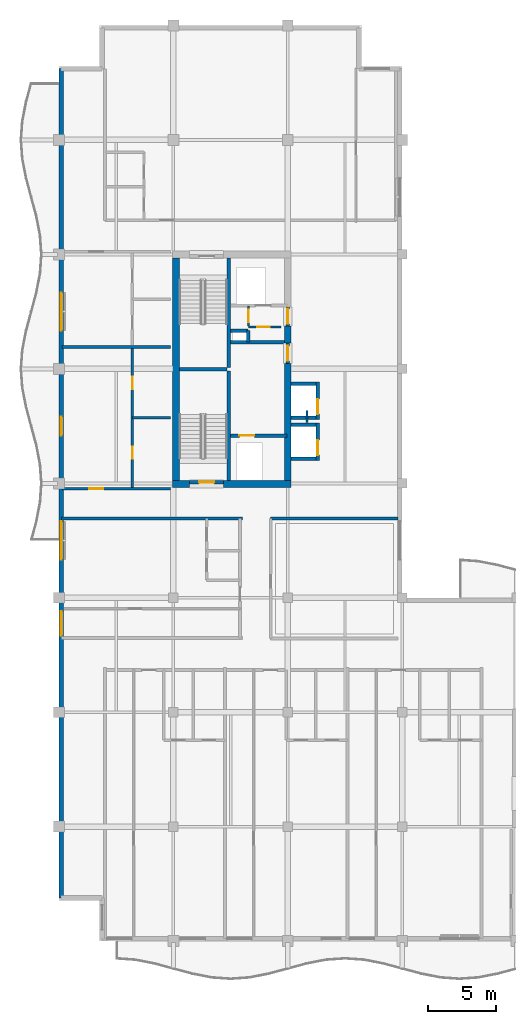
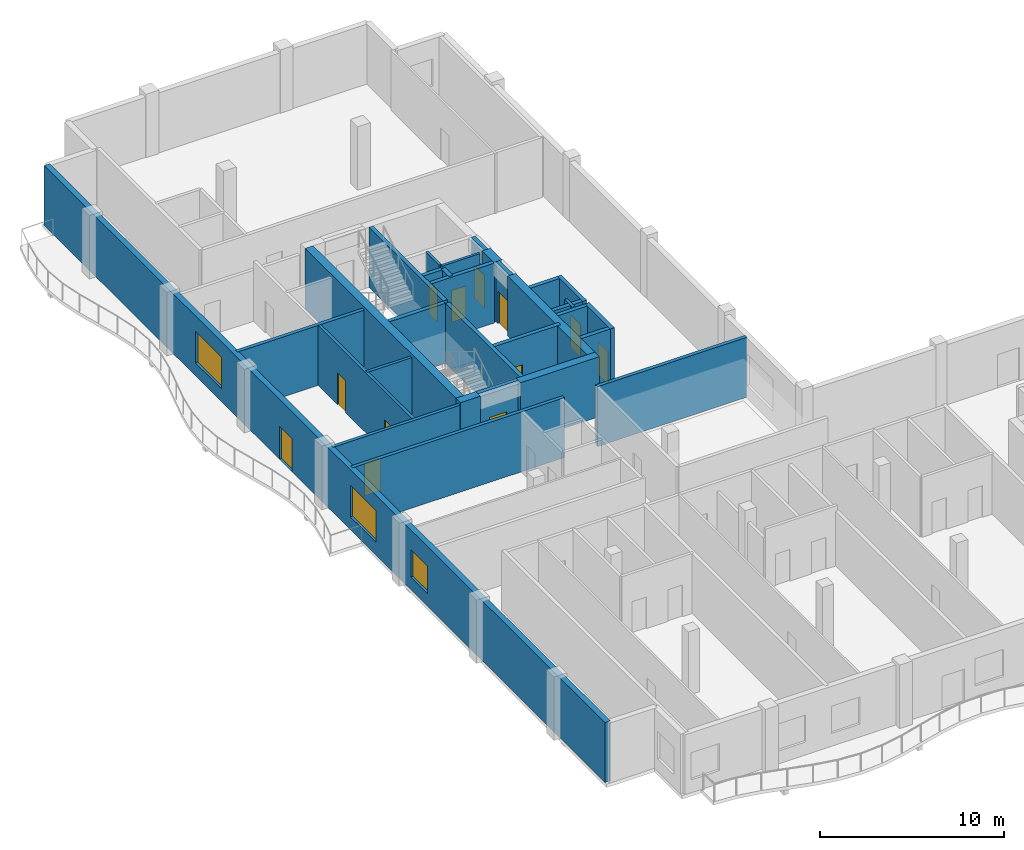
# One storey, part 10 of 16: 31 walls, 12 doors, 3 windows, 15 openings.
"""IFC4 building model written with IfcOpenShell, lengths in metres."""

import ifcopenshell
import ifcopenshell.guid

model = None  # the IFC model being written
_history = None  # IfcOwnerHistory: only IFC2X3 demands one
_inside = {}  # id of a spatial element -> (the spatial element, [elements in it])
_under = {}  # id of a project, library or spatial element -> (it, [spatial elements below it])
_declared = {}  # id of a project -> (the project, [libraries it declares])
_typed = {}  # id of a type object -> (the type object, [elements of that type])
_made_of = {}  # id of a material, layer set ... -> (it, [elements and type objects made of it])


def new_model(schema):
    """Start an empty IFC model of exactly this schema.

    Asked for "IFC4X3", IfcOpenShell would pick the latest addendum, in which some entities
    have other attributes; the version numbers below select the first issue.
    IFC2X3 requires an IfcOwnerHistory on every rooted entity: one is made here for all.
    """
    global model, _history
    if schema == "IFC4X3":
        model = ifcopenshell.file(schema_version=(4, 3, 0, 0))
    else:
        model = ifcopenshell.file(schema=schema)
    _inside.clear()
    _under.clear()
    _declared.clear()
    _typed.clear()
    _made_of.clear()
    _history = None
    if model.schema == "IFC2X3":
        org = make("IfcOrganization", Name="unknown")
        user = make(
            "IfcPersonAndOrganization",
            ThePerson=make("IfcPerson", FamilyName="unknown"),
            TheOrganization=org,
        )
        app = make(
            "IfcApplication",
            ApplicationDeveloper=org,
            Version="unknown",
            ApplicationFullName="unknown",
            ApplicationIdentifier="unknown",
        )
        _history = make(
            "IfcOwnerHistory",
            OwningUser=user,
            OwningApplication=app,
            ChangeAction="ADDED",
            CreationDate=0,
        )
    return model


def make(cls, **values):
    """One entity of the class cls with the attributes given. An attribute that is None is left unset."""
    return model.create_entity(
        cls, **{name: value for name, value in values.items() if value is not None}
    )


def rooted(cls, **values):
    """An entity with a GlobalId (a new one), such as an element, a storey or a relation."""
    return make(cls, GlobalId=ifcopenshell.guid.new(), OwnerHistory=_history, **values)


def si_unit(unit_type, name, prefix=None):
    """IfcSIUnit, for example si_unit("LENGTHUNIT", "METRE", prefix="MILLI")."""
    return make("IfcSIUnit", UnitType=unit_type, Prefix=prefix, Name=name)


def assignment(units):
    """IfcUnitAssignment: the units of a project."""
    return None if units is None else make("IfcUnitAssignment", Units=units)


def point(xyz):
    """IfcCartesianPoint."""
    return None if xyz is None else make("IfcCartesianPoint", Coordinates=xyz)


def direction(xyz):
    """IfcDirection."""
    return None if xyz is None else make("IfcDirection", DirectionRatios=xyz)


def frame(location, z_axis=None, x_axis=None):
    """IfcAxis2Placement3D, a coordinate frame: its origin and axes. An axis left out is left unset."""
    return make(
        "IfcAxis2Placement3D",
        Location=point(location),
        Axis=direction(z_axis),
        RefDirection=direction(x_axis),
    )


def frame_2d(location, x_axis=None):
    """IfcAxis2Placement2D, a coordinate frame in the plane: its origin and x axis."""
    return make(
        "IfcAxis2Placement2D", Location=point(location), RefDirection=direction(x_axis)
    )


def origin():
    """The frame at (0, 0, 0) with its axes left unset."""
    return frame((0.0, 0.0, 0.0))


def place(relative_to, where):
    """IfcLocalPlacement: puts the frame where relative to a parent placement (None: the world)."""
    return make(
        "IfcLocalPlacement", PlacementRelTo=relative_to, RelativePlacement=where
    )


def context(
    kind, dimensions, precision=None, world=None, true_north=None, identifier=None
):
    """IfcGeometricRepresentationContext, for example the 3D "Model" context."""
    return make(
        "IfcGeometricRepresentationContext",
        ContextIdentifier=identifier,
        ContextType=kind,
        CoordinateSpaceDimension=dimensions,
        Precision=precision,
        WorldCoordinateSystem=world,
        TrueNorth=true_north,
    )


def subcontext(parent, identifier, kind, view, scale=None):
    """IfcGeometricRepresentationSubContext, for example "Body" below "Model"."""
    return make(
        "IfcGeometricRepresentationSubContext",
        ContextIdentifier=identifier,
        ContextType=kind,
        ParentContext=parent,
        TargetScale=scale,
        TargetView=view,
    )


def project(units=None, contexts=None):
    """IfcProject with its units and contexts."""
    return rooted(
        "IfcProject",
        Name="project",
        RepresentationContexts=contexts,
        UnitsInContext=assignment(units),
    )


def spatial(cls, under=None, at=None, **own):
    """A site, building, storey or space (cls), placed at a placement, below another one or the project."""
    s = rooted(cls, ObjectPlacement=at, **own)
    if under is not None:
        _under.setdefault(under.id(), (under, []))[1].append(s)
    return s


def profile(cls, at=None, kind="AREA", **sizes):
    """A parametric profile (cls). Its sizes go by their IFC names, for example OverallWidth=200.0."""
    return make(cls, ProfileType=kind, Position=at, **sizes)


def rectangle(**sizes):
    """IfcRectangleProfileDef."""
    return profile("IfcRectangleProfileDef", **sizes)


def extrude(swept, where, along, depth):
    """IfcExtrudedAreaSolid: the profile swept, set in the frame where, extruded along a direction by depth."""
    return make(
        "IfcExtrudedAreaSolid",
        SweptArea=swept,
        Position=where,
        ExtrudedDirection=direction(along),
        Depth=depth,
    )


def shape(context_of_items, identifier, shape_type, items):
    """IfcShapeRepresentation: the items that make up one representation, for example the "Body"."""
    return make(
        "IfcShapeRepresentation",
        ContextOfItems=context_of_items,
        RepresentationIdentifier=identifier,
        RepresentationType=shape_type,
        Items=items,
    )


def material(Name=None, Category=None):
    """IfcMaterial."""
    return make("IfcMaterial", Name=Name, Category=Category)


def layer(
    of_material, thickness, ventilated=None, Name=None, Category=None, Priority=None
):
    """IfcMaterialLayer: one layer of a wall or slab, of a material (None: an air gap)."""
    return make(
        "IfcMaterialLayer",
        Material=of_material,
        LayerThickness=thickness,
        IsVentilated=ventilated,
        Name=Name,
        Category=Category,
        Priority=Priority,
    )


def layer_set(layers, Name=None):
    """IfcMaterialLayerSet."""
    return make("IfcMaterialLayerSet", MaterialLayers=layers, LayerSetName=Name)


def made_of(thing, what):
    """Note that an element or type object is made of a material, layer set ...; save() writes the relation."""
    if what is not None:
        _made_of.setdefault(what.id(), (what, []))[1].append(thing)
    return thing


def type_object(cls, material=None, **own):
    """A type object (cls), such as IfcWallType, which elements share."""
    return made_of(rooted(cls, **own), material)


def element(
    cls,
    number,
    at=None,
    inside=None,
    cuts=None,
    type_object=None,
    material=None,
    context=None,
    identifier="Body",
    shape_type=None,
    held_by="IfcProductDefinitionShape",
    body=None,
    shapes=None,
    **own,
):
    """One element of the class cls, such as IfcWall. Its Tag is "e" and its number.

    at: its placement. inside: the storey or other place that contains it. cuts: it is an
    opening in that element (IfcRelVoidsElement). A single representation is given by context,
    identifier, shape_type and body (its items); several are given by shapes. held_by: the class
    of the entity that holds the representations. save() writes the other relations.
    """
    e = rooted(cls, Tag="e%d" % number, ObjectPlacement=at, **own)
    if body is not None:
        shapes = [shape(context, identifier, shape_type, body)]
    if shapes is not None:
        e.Representation = make(held_by, Representations=shapes)
    if inside is not None:
        _inside.setdefault(inside.id(), (inside, []))[1].append(e)
    if cuts is not None:
        rooted(
            "IfcRelVoidsElement", RelatingBuildingElement=cuts, RelatedOpeningElement=e
        )
    if type_object is not None:
        _typed.setdefault(type_object.id(), (type_object, []))[1].append(e)
    return made_of(e, material)


def fill(opening, filler):
    """IfcRelFillsElement: the door or window that sits in an opening."""
    return rooted(
        "IfcRelFillsElement",
        RelatingOpeningElement=opening,
        RelatedBuildingElement=filler,
    )


def aggregate(whole, parts):
    """IfcRelAggregates: a whole, such as a stair, and the parts it consists of."""
    return rooted("IfcRelAggregates", RelatingObject=whole, RelatedObjects=parts)


def save(model, path):
    """Write the relations noted so far, then the file.

    IfcRelAggregates (storeys below a building ...), IfcRelContainedInSpatialStructure (elements
    in a storey), IfcRelDefinesByType, IfcRelAssociatesMaterial and IfcRelDeclares: one each for
    every whole, place, type object, material and project.
    """
    for whole, parts in _under.values():
        aggregate(whole, parts)
    for where, things in _inside.values():
        rooted(
            "IfcRelContainedInSpatialStructure",
            RelatedElements=things,
            RelatingStructure=where,
        )
    for kind, things in _typed.values():
        rooted("IfcRelDefinesByType", RelatedObjects=things, RelatingType=kind)
    for what, things in _made_of.values():
        rooted("IfcRelAssociatesMaterial", RelatedObjects=things, RelatingMaterial=what)
    for by, libraries in _declared.values():
        rooted("IfcRelDeclares", RelatingContext=by, RelatedDefinitions=libraries)
    model.write(path)


model = new_model("IFC4")

# Units and contexts
model_context = context("Model", 3, precision=1e-05, world=origin(), true_north=direction((0.0, 1.0)))
body_context = subcontext(model_context, "Body", "Model", "MODEL_VIEW")
ifc_project = project(units=[si_unit("LENGTHUNIT", "METRE"), si_unit("AREAUNIT", "SQUARE_METRE"), si_unit("VOLUMEUNIT", "CUBIC_METRE"), si_unit("PLANEANGLEUNIT", "RADIAN"), si_unit("MASSUNIT", "GRAM", prefix="KILO")], contexts=[model_context])

# Site, building, storey
site_placement = place(None, origin())
site = spatial("IfcSite", under=ifc_project, at=site_placement, CompositionType="ELEMENT")
building_placement = place(site_placement, origin())
building = spatial("IfcBuilding", under=site, at=building_placement, Name="Koriwani Terraces Tower", CompositionType="ELEMENT")
storey_placement = place(building_placement, frame((0.0, 0.0, 355.39990234375)))
storey = spatial("IfcBuildingStorey", under=building, at=storey_placement, Name="L88", CompositionType="ELEMENT", Elevation=355.39990234375)

# Walls
ifc_material_1 = material(Name="Concrete C50/60", Category="concrete")
ifc_layer_1 = layer(ifc_material_1, 0.5, Name="Concrete C50/60")
ifc_layer_set_1 = layer_set([ifc_layer_1], Name="Concrete C50/60")
wall_type_1 = type_object("IfcWallType", Name="WALL_CORE_RC_500", PredefinedType="SHEAR", material=ifc_layer_set_1)
wall_1_placement = place(storey_placement, frame((16.75, 41.949951171875, 0.0), z_axis=(0.0, 0.0, 1.0), x_axis=(1.0, 0.0, 0.0)))
element("IfcWall", 1, at=wall_1_placement, inside=storey, type_object=wall_type_1, Name="L88 West Split Core Shear Wall S1", PredefinedType="SHEAR", context=body_context, shape_type="SweptSolid", body=[
    extrude(rectangle(XDim=1.25, YDim=0.5, at=frame_2d((0.625, 0.0))), origin(), (0.0, 0.0, 1.0), 3.97021484375),
])
wall_2_placement = place(storey_placement, frame((20.5, 41.949951171875, 0.0), z_axis=(0.0, 0.0, 1.0), x_axis=(1.0, 0.0, 0.0)))
element("IfcWall", 2, at=wall_2_placement, inside=storey, type_object=wall_type_1, Name="L88 West Split Core Shear Wall S2", PredefinedType="SHEAR", context=body_context, shape_type="SweptSolid", body=[
    extrude(rectangle(XDim=4.949951171875, YDim=0.5, at=frame_2d((2.47509765625, 0.0))), origin(), (0.0, 0.0, 1.0), 3.97021484375),
])
wall_3_placement = place(storey_placement, frame((17.0, 42.199951171875, 0.0), z_axis=(0.0, 0.0, 1.0), x_axis=(0.0, 1.0, 0.0)))
element("IfcWall", 3, at=wall_3_placement, inside=storey, type_object=wall_type_1, Name="L88 West Split Core Shear Wall W1", PredefinedType="SHEAR", context=body_context, shape_type="SweptSolid", body=[
    extrude(rectangle(XDim=16.35009765625, YDim=0.5, at=frame_2d((8.175048828125, 0.0))), origin(), (0.0, 0.0, 1.0), 3.97021484375),
])
wall_4_placement = place(storey_placement, frame((25.199951171875, 42.199951171875, 0.0), z_axis=(0.0, 0.0, 1.0), x_axis=(0.0, 1.0, 0.0)))
element("IfcWall", 4, at=wall_4_placement, inside=storey, type_object=wall_type_1, Name="L88 West Split Core Shear Wall E1", PredefinedType="SHEAR", context=body_context, shape_type="SweptSolid", body=[
    extrude(rectangle(XDim=8.60009765625, YDim=0.5, at=frame_2d((4.300048828125, 0.0))), origin(), (0.0, 0.0, 1.0), 3.97021484375),
])
wall_5_placement = place(storey_placement, frame((25.199951171875, 52.280029296875, 0.0), z_axis=(0.0, 0.0, 1.0), x_axis=(0.0, 1.0, 0.0)))
element("IfcWall", 5, at=wall_5_placement, inside=storey, type_object=wall_type_1, Name="L88 West Split Core Shear Wall E2", PredefinedType="SHEAR", context=body_context, shape_type="SweptSolid", body=[
    extrude(rectangle(XDim=1.27001953125, YDim=0.5, at=frame_2d((0.635009765625, 0.0))), origin(), (0.0, 0.0, 1.0), 3.97021484375),
])

# Wall, opening, door
ifc_material_2 = material(Name="Autoclaved Cellular Concrete Blockwork", Category="masonry")
ifc_layer_2 = layer(ifc_material_2, 0.199951171875, Name="Autoclaved Cellular Concrete Blockwork")
ifc_layer_set_2 = layer_set([ifc_layer_2], Name="Autoclaved Cellular Concrete Blockwork")
wall_type_2 = type_object("IfcWallType", Name="WALL_CORRIDOR_200", PredefinedType="PARTITIONING", material=ifc_layer_set_2)
wall_6_placement = place(storey_placement, frame((8.64990234375, 41.60009765625, 0.0), z_axis=(0.0, 0.0, 1.0), x_axis=(1.0, 0.0, 0.0)))
wall_6 = element("IfcWall", 6, at=wall_6_placement, inside=storey, type_object=wall_type_2, Name="L88 Interior Wall WRZ4-WS-L88", PredefinedType="PARTITIONING", context=body_context, shape_type="SweptSolid", body=[
    extrude(rectangle(XDim=7.9501953125, YDim=0.199951171875, at=frame_2d((3.97509765625, 0.0))), origin(), (0.0, 0.0, 1.0), 3.97021484375),
])
opening_1_placement = place(wall_6_placement, frame((2.0, 0.0, 0.0)))
opening_1 = element("IfcOpeningElement", 7, at=opening_1_placement, cuts=wall_6, Name="Opening D-05", PredefinedType="OPENING", context=body_context, shape_type="SweptSolid", body=[
    extrude(rectangle(XDim=1.0, YDim=2.14990234375, at=frame_2d((0.5, 1.074951171875))), frame((0.0, 0.10986328125, 0.0), z_axis=(0.0, -1.0, 0.0), x_axis=(1.0, 0.0, 0.0)), (0.0, 0.0, 1.0), 0.219970703125),
])
ifc_material_3 = material(Name="Architectural Oak Fire Door", Category="wood")
door_type_1 = type_object("IfcDoorType", Name="DOOR_SUITE_ENTRY_1000X2150", OperationType="NOTDEFINED", PredefinedType="DOOR", material=ifc_material_3)
door_1_placement = place(opening_1_placement, origin())
door_1 = element("IfcDoor", 8, at=door_1_placement, inside=storey, type_object=door_type_1, Name="Apartment 88RW1 Entrance Door", OperationType="SINGLE_SWING_LEFT", OverallHeight=2.14990234375, OverallWidth=1.0, PredefinedType="DOOR", context=body_context, shape_type="SweptSolid", body=[
    extrude(rectangle(XDim=1.0, YDim=2.14990234375, at=frame_2d((0.5, 1.074951171875))), frame((0.0, 0.02490234375, 0.0), z_axis=(0.0, -1.0, 0.0), x_axis=(1.0, 0.0, 0.0)), (0.0, 0.0, 1.0), 0.050048828125),
])
fill(opening_1, door_1)

# Walls
ifc_layer_3 = layer(ifc_material_2, 0.219970703125, Name="Autoclaved Cellular Concrete Blockwork")
ifc_layer_set_3 = layer_set([ifc_layer_3], Name="Autoclaved Cellular Concrete Blockwork")
wall_type_3 = type_object("IfcWallType", Name="WALL_DEMISING_220", PredefinedType="PARTITIONING", material=ifc_layer_set_3)
wall_7_placement = place(storey_placement, frame((23.949951171875, 39.39990234375, 0.0), z_axis=(0.0, 0.0, 1.0), x_axis=(1.0, 0.0, 0.0)))
element("IfcWall", 9, at=wall_7_placement, inside=storey, type_object=wall_type_3, Name="L88 Interior Wall WIC4WN-L88", PredefinedType="PARTITIONING", context=body_context, shape_type="SweptSolid", body=[
    extrude(rectangle(XDim=9.35009765625, YDim=0.219970703125, at=frame_2d((4.675048828125, 0.0))), origin(), (0.0, 0.0, 1.0), 3.97021484375),
])
wall_8_placement = place(storey_placement, frame((8.64990234375, 52.0, 0.0), z_axis=(0.0, 0.0, 1.0), x_axis=(1.0, 0.0, 0.0)))
element("IfcWall", 10, at=wall_8_placement, inside=storey, type_object=wall_type_3, Name="L88 Interior Wall WRZ4-WM-L88", PredefinedType="PARTITIONING", context=body_context, shape_type="SweptSolid", body=[
    extrude(rectangle(XDim=7.9501953125, YDim=0.219970703125, at=frame_2d((3.97509765625, 0.0))), origin(), (0.0, 0.0, 1.0), 3.97021484375),
])
wall_9_placement = place(storey_placement, frame((8.60009765625, 39.39990234375, 0.0), z_axis=(0.0, 0.0, 1.0), x_axis=(1.0, 0.0, 0.0)))
element("IfcWall", 11, at=wall_9_placement, inside=storey, type_object=wall_type_3, Name="L88 Interior Wall WRDEME-L88-NE", PredefinedType="PARTITIONING", context=body_context, shape_type="SweptSolid", body=[
    extrude(rectangle(XDim=13.27978515625, YDim=0.219970703125, at=frame_2d((6.639892578125, 0.0))), origin(), (0.0, 0.0, 1.0), 3.97021484375),
])

# Wall, openings, door, windows
ifc_layer_4 = layer(ifc_material_1, 0.35009765625, Name="Concrete C50/60")
ifc_layer_set_4 = layer_set([ifc_layer_4], Name="Concrete C50/60")
wall_type_4 = type_object("IfcWallType", Name="WALL_EXT_BRUTALIST_350", PredefinedType="STANDARD", material=ifc_layer_set_4)
wall_10_placement = place(storey_placement, frame((8.574951171875, 11.574951171875, 0.0), z_axis=(0.0, 0.0, 1.0), x_axis=(0.0, 1.0, 0.0)))
wall_10 = element("IfcWall", 12, at=wall_10_placement, inside=storey, type_object=wall_type_4, Name="L88 Fair-Faced Brutalist Exterior Wall (W)", PredefinedType="STANDARD", context=body_context, shape_type="SweptSolid", body=[
    extrude(rectangle(XDim=60.85009765625, YDim=0.35009765625, at=frame_2d((30.425048828125, 0.0))), origin(), (0.0, 0.0, 1.0), 3.97021484375),
])
opening_2_placement = place(wall_10_placement, frame((33.925048828125, 0.0, 0.0)))
opening_2 = element("IfcOpeningElement", 13, at=opening_2_placement, cuts=wall_10, Name="Opening D-09", PredefinedType="OPENING", context=body_context, shape_type="SweptSolid", body=[
    extrude(rectangle(XDim=1.39990234375, YDim=2.199951171875, at=frame_2d((0.699951171875, 1.10009765625))), frame((0.0, 0.18505859375, 0.0), z_axis=(0.0, -1.0, 0.0), x_axis=(1.0, 0.0, 0.0)), (0.0, 0.0, 1.0), 0.3701171875),
])
opening_3_placement = place(wall_10_placement, frame((24.824951171875, 0.0, 0.85009765625)))
opening_3 = element("IfcOpeningElement", 14, at=opening_3_placement, cuts=wall_10, Name="Opening W-05", PredefinedType="OPENING", context=body_context, shape_type="SweptSolid", body=[
    extrude(rectangle(XDim=2.800048828125, YDim=2.10009765625, at=frame_2d((1.39990234375, 1.050048828125))), frame((0.0, 0.18505859375, 0.0), z_axis=(0.0, -1.0, 0.0), x_axis=(1.0, 0.0, 0.0)), (0.0, 0.0, 1.0), 0.3701171875),
])
opening_4_placement = place(wall_10_placement, frame((41.625, 0.0, 0.85009765625)))
opening_4 = element("IfcOpeningElement", 15, at=opening_4_placement, cuts=wall_10, Name="Opening W-05", PredefinedType="OPENING", context=body_context, shape_type="SweptSolid", body=[
    extrude(rectangle(XDim=2.800048828125, YDim=2.10009765625, at=frame_2d((1.39990234375, 1.050048828125))), frame((0.0, 0.18505859375, 0.0), z_axis=(0.0, -1.0, 0.0), x_axis=(1.0, 0.0, 0.0)), (0.0, 0.0, 1.0), 0.3701171875),
])
opening_5_placement = place(wall_10_placement, frame((19.25, 0.0, 0.85009765625)))
opening_5 = element("IfcOpeningElement", 16, at=opening_5_placement, cuts=wall_10, Name="Opening W-04", PredefinedType="OPENING", context=body_context, shape_type="SweptSolid", body=[
    extrude(rectangle(XDim=1.800048828125, YDim=1.800048828125, at=frame_2d((0.89990234375, 0.89990234375))), frame((0.0, 0.18505859375, 0.0), z_axis=(0.0, -1.0, 0.0), x_axis=(1.0, 0.0, 0.0)), (0.0, 0.0, 1.0), 0.3701171875),
])
ifc_material_4 = material(Name="Anodised Bronze Aluminium", Category="aluminium")
door_type_2 = type_object("IfcDoorType", Name="DOOR_BALCONY_GLAZED_1400X2200", OperationType="NOTDEFINED", PredefinedType="DOOR", material=ifc_material_4)
door_2_placement = place(opening_2_placement, origin())
door_2 = element("IfcDoor", 17, at=door_2_placement, inside=storey, type_object=door_type_2, Name="L88 West Balcony Glazed Door", OperationType="SINGLE_SWING_LEFT", OverallHeight=2.199951171875, OverallWidth=1.39990234375, PredefinedType="DOOR", context=body_context, shape_type="SweptSolid", body=[
    extrude(rectangle(XDim=1.39990234375, YDim=2.199951171875, at=frame_2d((0.699951171875, 1.10009765625))), frame((0.0, 0.02490234375, 0.0), z_axis=(0.0, -1.0, 0.0), x_axis=(1.0, 0.0, 0.0)), (0.0, 0.0, 1.0), 0.050048828125),
])
fill(opening_2, door_2)
ifc_material_5 = material(Name="Tempered Laminated Low-E Glass", Category="glass")
window_type_1 = type_object("IfcWindowType", Name="WIN_PENTHOUSE_2800X2100", PartitioningType="TRIPLE_PANEL_VERTICAL", PredefinedType="WINDOW", material=ifc_material_5)
window_1_placement = place(opening_3_placement, origin())
window_1 = element("IfcWindow", 18, at=window_1_placement, inside=storey, type_object=window_type_1, Name="L88 Exterior Window (W-9)", OverallHeight=2.10009765625, OverallWidth=2.800048828125, PartitioningType="SINGLE_PANEL", PredefinedType="WINDOW", context=body_context, shape_type="SweptSolid", body=[
    extrude(rectangle(XDim=2.800048828125, YDim=2.10009765625, at=frame_2d((1.39990234375, 1.050048828125))), frame((0.0, 0.030029296875, 0.0), z_axis=(0.0, -1.0, 0.0), x_axis=(1.0, 0.0, 0.0)), (0.0, 0.0, 1.0), 0.06005859375),
])
fill(opening_3, window_1)
window_2_placement = place(opening_4_placement, origin())
window_2 = element("IfcWindow", 19, at=window_2_placement, inside=storey, type_object=window_type_1, Name="L88 Exterior Window (W-15)", OverallHeight=2.10009765625, OverallWidth=2.800048828125, PartitioningType="SINGLE_PANEL", PredefinedType="WINDOW", context=body_context, shape_type="SweptSolid", body=[
    extrude(rectangle(XDim=2.800048828125, YDim=2.10009765625, at=frame_2d((1.39990234375, 1.050048828125))), frame((0.0, 0.030029296875, 0.0), z_axis=(0.0, -1.0, 0.0), x_axis=(1.0, 0.0, 0.0)), (0.0, 0.0, 1.0), 0.06005859375),
])
fill(opening_4, window_2)
window_type_2 = type_object("IfcWindowType", Name="WIN_RES_BED_1800X1800", PartitioningType="DOUBLE_PANEL_VERTICAL", PredefinedType="WINDOW", material=ifc_material_5)
window_3_placement = place(opening_5_placement, origin())
window_3 = element("IfcWindow", 20, at=window_3_placement, inside=storey, type_object=window_type_2, Name="L88 Exterior Window (W-R46)", OverallHeight=1.800048828125, OverallWidth=1.800048828125, PartitioningType="SINGLE_PANEL", PredefinedType="WINDOW", context=body_context, shape_type="SweptSolid", body=[
    extrude(rectangle(XDim=1.800048828125, YDim=1.800048828125, at=frame_2d((0.89990234375, 0.89990234375))), frame((0.0, 0.030029296875, 0.0), z_axis=(0.0, -1.0, 0.0), x_axis=(1.0, 0.0, 0.0)), (0.0, 0.0, 1.0), 0.06005859375),
])
fill(opening_5, window_3)

# Wall, openings, doors
ifc_material_6 = material(Name="Fire-Rated Acoustic Gypsum Partition", Category="masonry")
ifc_layer_5 = layer(ifc_material_6, 0.179931640625, Name="Fire-Rated Acoustic Gypsum Partition")
ifc_layer_set_5 = layer_set([ifc_layer_5], Name="Fire-Rated Acoustic Gypsum Partition")
wall_type_5 = type_object("IfcWallType", Name="WALL_PLUMBING_180", PredefinedType="PLUMBINGWALL", material=ifc_layer_set_5)
wall_11_placement = place(storey_placement, frame((13.800048828125, 41.699951171875, 0.0), z_axis=(0.0, 0.0, 1.0), x_axis=(0.0, 1.0, 0.0)))
wall_11 = element("IfcWall", 21, at=wall_11_placement, inside=storey, type_object=wall_type_5, Name="L88 Interior Wall WRZ4-RW1-PB-L88", PredefinedType="PLUMBINGWALL", context=body_context, shape_type="SweptSolid", body=[
    extrude(rectangle(XDim=10.199951171875, YDim=0.179931640625, at=frame_2d((5.10009765625, 0.0))), origin(), (0.0, 0.0, 1.0), 3.97021484375),
])
opening_6_placement = place(wall_11_placement, frame((2.10009765625, 0.0, 0.0)))
opening_6 = element("IfcOpeningElement", 22, at=opening_6_placement, cuts=wall_11, Name="Opening D-07", PredefinedType="OPENING", context=body_context, shape_type="SweptSolid", body=[
    extrude(rectangle(XDim=0.89990234375, YDim=2.10009765625, at=frame_2d((0.449951171875, 1.050048828125))), frame((0.0, 0.10009765625, 0.0), z_axis=(0.0, -1.0, 0.0), x_axis=(1.0, 0.0, 0.0)), (0.0, 0.0, 1.0), 0.199951171875),
])
opening_7_placement = place(wall_11_placement, frame((7.18994140625, 0.0, 0.0)))
opening_7 = element("IfcOpeningElement", 23, at=opening_7_placement, cuts=wall_11, Name="Opening D-06", PredefinedType="OPENING", context=body_context, shape_type="SweptSolid", body=[
    extrude(rectangle(XDim=0.919921875, YDim=2.10009765625, at=frame_2d((0.4599609375, 1.050048828125))), frame((0.0, 0.10009765625, 0.0), z_axis=(0.0, -1.0, 0.0), x_axis=(1.0, 0.0, 0.0)), (0.0, 0.0, 1.0), 0.199951171875),
])
door_type_3 = type_object("IfcDoorType", Name="DOOR_BATH_INT_900X2100", OperationType="NOTDEFINED", PredefinedType="DOOR", material=ifc_material_3)
door_3_placement = place(opening_6_placement, origin())
door_3 = element("IfcDoor", 24, at=door_3_placement, inside=storey, type_object=door_type_3, Name="Apartment 88RW1 Bathroom Door", OperationType="SINGLE_SWING_LEFT", OverallHeight=2.10009765625, OverallWidth=0.89990234375, PredefinedType="DOOR", context=body_context, shape_type="SweptSolid", body=[
    extrude(rectangle(XDim=0.89990234375, YDim=2.10009765625, at=frame_2d((0.449951171875, 1.050048828125))), frame((0.0, 0.02490234375, 0.0), z_axis=(0.0, -1.0, 0.0), x_axis=(1.0, 0.0, 0.0)), (0.0, 0.0, 1.0), 0.050048828125),
])
fill(opening_6, door_3)
door_type_4 = type_object("IfcDoorType", Name="DOOR_ROOM_INT_920X2100", OperationType="NOTDEFINED", PredefinedType="DOOR", material=ifc_material_3)
door_4_placement = place(opening_7_placement, origin())
door_4 = element("IfcDoor", 25, at=door_4_placement, inside=storey, type_object=door_type_4, Name="Apartment 88RW1 Kitchen Door", OperationType="SINGLE_SWING_RIGHT", OverallHeight=2.10009765625, OverallWidth=0.919921875, PredefinedType="DOOR", context=body_context, shape_type="SweptSolid", body=[
    extrude(rectangle(XDim=0.919921875, YDim=2.10009765625, at=frame_2d((0.4599609375, 1.050048828125))), frame((0.0, 0.02490234375, 0.0), z_axis=(0.0, -1.0, 0.0), x_axis=(1.0, 0.0, 0.0)), (0.0, 0.0, 1.0), 0.050048828125),
])
fill(opening_7, door_4)

# Walls
wall_12_placement = place(storey_placement, frame((13.800048828125, 46.800048828125, 0.0), z_axis=(0.0, 0.0, 1.0), x_axis=(1.0, 0.0, 0.0)))
element("IfcWall", 26, at=wall_12_placement, inside=storey, type_object=wall_type_5, Name="L88 Interior Wall WRZ4-RW1-P2-L88", PredefinedType="PLUMBINGWALL", context=body_context, shape_type="SweptSolid", body=[
    extrude(rectangle(XDim=2.800048828125, YDim=0.179931640625, at=frame_2d((1.39990234375, 0.0))), origin(), (0.0, 0.0, 1.0), 3.97021484375),
])
ifc_material_7 = material(Name="Concrete C40/50", Category="concrete")
ifc_layer_6 = layer(ifc_material_7, 0.25, Name="Concrete C40/50")
ifc_layer_set_6 = layer_set([ifc_layer_6], Name="Concrete C40/50")
wall_type_6 = type_object("IfcWallType", Name="WALL_SHAFT_RATED_250", PredefinedType="SOLIDWALL", material=ifc_layer_set_6)
for number, where, z_axis, x_axis, name in (
    (27, (20.875, 42.199951171875, 0.0), (0.0, 0.0, 1.0), (0.0, 1.0, 0.0), "L88 West Split Core Web Wall MID1"),
    (28, (20.875, 50.5, 0.0), (0.0, 0.0, 1.0), (0.0, 1.0, 0.0), "L88 West Split Core Web Wall MID2"),
):
    element("IfcWall", number, at=place(storey_placement, frame(where, z_axis=z_axis, x_axis=x_axis)), inside=storey, type_object=wall_type_6, Name=name, PredefinedType="SOLIDWALL", context=body_context, shape_type="SweptSolid", body=[
        extrude(rectangle(XDim=8.050048828125, YDim=0.25, at=frame_2d((4.02490234375, 0.0))), origin(), (0.0, 0.0, 1.0), 3.97021484375),
    ])
wall_13_placement = place(storey_placement, frame((17.25, 50.375, 0.0), z_axis=(0.0, 0.0, 1.0), x_axis=(1.0, 0.0, 0.0)))
element("IfcWall", 29, at=wall_13_placement, inside=storey, type_object=wall_type_6, Name="L88 West Split Core Stair Dividing Wall", PredefinedType="SOLIDWALL", context=body_context, shape_type="SweptSolid", body=[
    extrude(rectangle(XDim=3.5, YDim=0.25, at=frame_2d((1.75, 0.0))), origin(), (0.0, 0.0, 1.0), 3.97021484375),
])

# Wall, opening, door
wall_14_placement = place(storey_placement, frame((18.0, 42.074951171875, 0.0), z_axis=(0.0, 0.0, 1.0), x_axis=(1.0, 0.0, 0.0)))
wall_14 = element("IfcWall", 30, at=wall_14_placement, inside=storey, type_object=wall_type_6, Name="L88 Interior Wall WIN-CW-L88-STS", PredefinedType="SOLIDWALL", context=body_context, shape_type="SweptSolid", body=[
    extrude(rectangle(XDim=2.5, YDim=0.25, at=frame_2d((1.25, 0.0))), origin(), (0.0, 0.0, 1.0), 3.97021484375),
])
opening_8_placement = place(wall_14_placement, frame((0.699951171875, 0.0, 0.0)))
opening_8 = element("IfcOpeningElement", 31, at=opening_8_placement, cuts=wall_14, Name="Opening D-03", PredefinedType="OPENING", context=body_context, shape_type="SweptSolid", body=[
    extrude(rectangle(XDim=1.10009765625, YDim=2.14990234375, at=frame_2d((0.550048828125, 1.074951171875))), frame((0.0, 0.135009765625, 0.0), z_axis=(0.0, -1.0, 0.0), x_axis=(1.0, 0.0, 0.0)), (0.0, 0.0, 1.0), 0.27001953125),
])
ifc_material_8 = material(Name="Steel ASTM A572 Grade 50", Category="steel")
door_type_5 = type_object("IfcDoorType", Name="DOOR_STAIR_FIRE_1100X2150", OperationType="NOTDEFINED", PredefinedType="DOOR", material=ifc_material_8)
door_5_placement = place(opening_8_placement, origin())
door_5 = element("IfcDoor", 32, at=door_5_placement, inside=storey, type_object=door_type_5, Name="L88 Exit Stair ST-W1 Door", OperationType="SINGLE_SWING_RIGHT", OverallHeight=2.14990234375, OverallWidth=1.10009765625, PredefinedType="DOOR", context=body_context, shape_type="SweptSolid", body=[
    extrude(rectangle(XDim=1.10009765625, YDim=2.14990234375, at=frame_2d((0.550048828125, 1.074951171875))), frame((0.0, 0.02490234375, 0.0), z_axis=(0.0, -1.0, 0.0), x_axis=(1.0, 0.0, 0.0)), (0.0, 0.0, 1.0), 0.050048828125),
])
fill(opening_8, door_5)

wall_15_placement = place(storey_placement, frame((21.0, 45.5, 0.0), z_axis=(0.0, 0.0, 1.0), x_axis=(1.0, 0.0, 0.0)))
wall_15 = element("IfcWall", 33, at=wall_15_placement, inside=storey, type_object=wall_type_6, Name="L88 Interior Wall WIN-CW-L88-FE", PredefinedType="SOLIDWALL", context=body_context, shape_type="SweptSolid", body=[
    extrude(rectangle(XDim=4.14990234375, YDim=0.25, at=frame_2d((2.074951171875, 0.0))), origin(), (0.0, 0.0, 1.0), 3.97021484375),
])
opening_9_placement = place(wall_15_placement, frame((0.64990234375, 0.0, 0.0)))
opening_9 = element("IfcOpeningElement", 34, at=opening_9_placement, cuts=wall_15, Name="Opening LD-01", PredefinedType="OPENING", context=body_context, shape_type="SweptSolid", body=[
    extrude(rectangle(XDim=1.10009765625, YDim=2.14990234375, at=frame_2d((0.550048828125, 1.074951171875))), frame((0.0, 0.135009765625, 0.0), z_axis=(0.0, -1.0, 0.0), x_axis=(1.0, 0.0, 0.0)), (0.0, 0.0, 1.0), 0.27001953125),
])
door_type_6 = type_object("IfcDoorType", Name="DOOR_LIFT_LANDING_1100X2200", OperationType="NOTDEFINED", PredefinedType="DOOR", material=ifc_material_8)
door_6_placement = place(opening_9_placement, origin())
door_6 = element("IfcDoor", 35, at=door_6_placement, inside=storey, type_object=door_type_6, Name="L88 Firefighting Lift FE-01 Landing Door", OperationType="SLIDING_TO_LEFT", OverallHeight=2.14990234375, OverallWidth=1.10009765625, PredefinedType="DOOR", context=body_context, shape_type="SweptSolid", body=[
    extrude(rectangle(XDim=1.10009765625, YDim=2.14990234375, at=frame_2d((0.550048828125, 1.074951171875))), frame((0.0, 0.02490234375, 0.0), z_axis=(0.0, -1.0, 0.0), x_axis=(1.0, 0.0, 0.0)), (0.0, 0.0, 1.0), 0.050048828125),
])
fill(opening_9, door_6)

wall_16_placement = place(storey_placement, frame((25.199951171875, 50.800048828125, 0.0), z_axis=(0.0, 0.0, 1.0), x_axis=(0.0, 1.0, 0.0)))
wall_16 = element("IfcWall", 36, at=wall_16_placement, inside=storey, type_object=wall_type_6, Name="L88 Interior Wall WIN-CW-L88-EP", PredefinedType="SOLIDWALL", context=body_context, shape_type="SweptSolid", body=[
    extrude(rectangle(XDim=1.47998046875, YDim=0.25, at=frame_2d((0.739990234375, 0.0))), origin(), (0.0, 0.0, 1.0), 3.97021484375),
])
opening_10_placement = place(wall_16_placement, frame((0.179931640625, 0.0, 0.0)))
opening_10 = element("IfcOpeningElement", 37, at=opening_10_placement, cuts=wall_16, Name="Opening D-03", PredefinedType="OPENING", context=body_context, shape_type="SweptSolid", body=[
    extrude(rectangle(XDim=1.10009765625, YDim=2.14990234375, at=frame_2d((0.550048828125, 1.074951171875))), frame((0.0, 0.135009765625, 0.0), z_axis=(0.0, -1.0, 0.0), x_axis=(1.0, 0.0, 0.0)), (0.0, 0.0, 1.0), 0.27001953125),
])
door_7_placement = place(opening_10_placement, origin())
door_7 = element("IfcDoor", 38, at=door_7_placement, inside=storey, type_object=door_type_5, Name="L88 West Firefighting Lobby Door", OperationType="SINGLE_SWING_RIGHT", OverallHeight=2.14990234375, OverallWidth=1.10009765625, PredefinedType="DOOR", context=body_context, shape_type="SweptSolid", body=[
    extrude(rectangle(XDim=1.10009765625, YDim=2.14990234375, at=frame_2d((0.550048828125, 1.074951171875))), frame((0.0, 0.02490234375, 0.0), z_axis=(0.0, -1.0, 0.0), x_axis=(1.0, 0.0, 0.0)), (0.0, 0.0, 1.0), 0.050048828125),
])
fill(opening_10, door_7)

# Wall
wall_17_placement = place(storey_placement, frame((21.0, 52.340087890625, 0.0), z_axis=(0.0, 0.0, 1.0), x_axis=(1.0, 0.0, 0.0)))
element("IfcWall", 39, at=wall_17_placement, inside=storey, type_object=wall_type_6, Name="L88 Interior Wall WIN-CW-L88-FFN", PredefinedType="SOLIDWALL", context=body_context, shape_type="SweptSolid", body=[
    extrude(rectangle(XDim=3.949951171875, YDim=0.25, at=frame_2d((1.97509765625, 0.0))), origin(), (0.0, 0.0, 1.0), 3.97021484375),
])

# Wall, opening, door
wall_18_placement = place(storey_placement, frame((25.199951171875, 53.550048828125, 0.0), z_axis=(0.0, 0.0, 1.0), x_axis=(0.0, 1.0, 0.0)))
wall_18 = element("IfcWall", 40, at=wall_18_placement, inside=storey, type_object=wall_type_6, Name="L88 Interior Wall WIN-CW-L88-EP2", PredefinedType="SOLIDWALL", context=body_context, shape_type="SweptSolid", body=[
    extrude(rectangle(XDim=1.39990234375, YDim=0.25, at=frame_2d((0.699951171875, 0.0))), origin(), (0.0, 0.0, 1.0), 3.97021484375),
])
opening_11_placement = place(wall_18_placement, frame((0.14990234375, 0.0, 0.0)))
opening_11 = element("IfcOpeningElement", 41, at=opening_11_placement, cuts=wall_18, Name="Opening D-03", PredefinedType="OPENING", context=body_context, shape_type="SweptSolid", body=[
    extrude(rectangle(XDim=1.10009765625, YDim=2.14990234375, at=frame_2d((0.550048828125, 1.074951171875))), frame((0.0, 0.135009765625, 0.0), z_axis=(0.0, -1.0, 0.0), x_axis=(1.0, 0.0, 0.0)), (0.0, 0.0, 1.0), 0.27001953125),
])
door_8_placement = place(opening_11_placement, origin())
door_8 = element("IfcDoor", 42, at=door_8_placement, inside=storey, type_object=door_type_5, Name="L88 West Goods Lift Lobby Door", OperationType="SINGLE_SWING_LEFT", OverallHeight=2.14990234375, OverallWidth=1.10009765625, PredefinedType="DOOR", context=body_context, shape_type="SweptSolid", body=[
    extrude(rectangle(XDim=1.10009765625, YDim=2.14990234375, at=frame_2d((0.550048828125, 1.074951171875))), frame((0.0, 0.02490234375, 0.0), z_axis=(0.0, -1.0, 0.0), x_axis=(1.0, 0.0, 0.0)), (0.0, 0.0, 1.0), 0.050048828125),
])
fill(opening_11, door_8)

# Walls
wall_19_placement = place(storey_placement, frame((21.0, 53.199951171875, 0.0), z_axis=(0.0, 0.0, 1.0), x_axis=(1.0, 0.0, 0.0)))
element("IfcWall", 43, at=wall_19_placement, inside=storey, type_object=wall_type_6, Name="L88 Interior Wall WIN-CW-L88-RS1", PredefinedType="SOLIDWALL", context=body_context, shape_type="SweptSolid", body=[
    extrude(rectangle(XDim=1.300048828125, YDim=0.25, at=frame_2d((0.64990234375, 0.0))), origin(), (0.0, 0.0, 1.0), 3.97021484375),
])
wall_20_placement = place(storey_placement, frame((22.300048828125, 52.360107421875, 0.0), z_axis=(0.0, 0.0, 1.0), x_axis=(0.0, 1.0, 0.0)))
element("IfcWall", 44, at=wall_20_placement, inside=storey, type_object=wall_type_6, Name="L88 Interior Wall WIN-CW-L88-RS2", PredefinedType="SOLIDWALL", context=body_context, shape_type="SweptSolid", body=[
    extrude(rectangle(XDim=0.83984375, YDim=0.25, at=frame_2d((0.419921875, 0.0))), origin(), (0.0, 0.0, 1.0), 3.97021484375),
])

# Wall, opening, door
wall_21_placement = place(storey_placement, frame((27.39990234375, 43.675048828125, 0.0), z_axis=(0.0, 0.0, 1.0), x_axis=(0.0, 1.0, 0.0)))
wall_21 = element("IfcWall", 45, at=wall_21_placement, inside=storey, type_object=wall_type_6, Name="L88 Interior Wall WIN-LF-PE-H1-L88-F", PredefinedType="SOLIDWALL", context=body_context, shape_type="SweptSolid", body=[
    extrude(rectangle(XDim=2.75, YDim=0.25, at=frame_2d((1.375, 0.0))), origin(), (0.0, 0.0, 1.0), 3.97021484375),
])
opening_12_placement = place(wall_21_placement, frame((0.39990234375, 0.0, 0.0)))
opening_12 = element("IfcOpeningElement", 46, at=opening_12_placement, cuts=wall_21, Name="Opening LD-01", PredefinedType="OPENING", context=body_context, shape_type="SweptSolid", body=[
    extrude(rectangle(XDim=1.10009765625, YDim=2.14990234375, at=frame_2d((0.550048828125, 1.074951171875))), frame((0.0, 0.135009765625, 0.0), z_axis=(0.0, -1.0, 0.0), x_axis=(1.0, 0.0, 0.0)), (0.0, 0.0, 1.0), 0.27001953125),
])
door_9_placement = place(opening_12_placement, origin())
door_9 = element("IfcDoor", 47, at=door_9_placement, inside=storey, type_object=door_type_6, Name="L88 Passenger Lift PE-H1 Landing Door", OperationType="SLIDING_TO_LEFT", OverallHeight=2.14990234375, OverallWidth=1.10009765625, PredefinedType="DOOR", context=body_context, shape_type="SweptSolid", body=[
    extrude(rectangle(XDim=1.10009765625, YDim=2.14990234375, at=frame_2d((0.550048828125, 1.074951171875))), frame((0.0, 0.02490234375, 0.0), z_axis=(0.0, -1.0, 0.0), x_axis=(1.0, 0.0, 0.0)), (0.0, 0.0, 1.0), 0.050048828125),
])
fill(opening_12, door_9)

# Walls
for number, where, z_axis, x_axis, name in (
    (48, (25.449951171875, 43.800048828125, 0.0), (0.0, 0.0, 1.0), (1.0, 0.0, 0.0), "L88 Interior Wall WIN-LF-PE-H1-L88-S"),
    (49, (25.449951171875, 46.300048828125, 0.0), (0.0, 0.0, 1.0), (1.0, 0.0, 0.0), "L88 Interior Wall WIN-LF-PE-H1-L88-N"),
):
    element("IfcWall", number, at=place(storey_placement, frame(where, z_axis=z_axis, x_axis=x_axis)), inside=storey, type_object=wall_type_6, Name=name, PredefinedType="SOLIDWALL", context=body_context, shape_type="SweptSolid", body=[
        extrude(rectangle(XDim=1.824951171875, YDim=0.25, at=frame_2d((0.91259765625, 0.0))), origin(), (0.0, 0.0, 1.0), 3.97021484375),
    ])

# Wall, opening, door
wall_22_placement = place(storey_placement, frame((27.39990234375, 46.675048828125, 0.0), z_axis=(0.0, 0.0, 1.0), x_axis=(0.0, 1.0, 0.0)))
wall_22 = element("IfcWall", 50, at=wall_22_placement, inside=storey, type_object=wall_type_6, Name="L88 Interior Wall WIN-LF-PE-H2-L88-F", PredefinedType="SOLIDWALL", context=body_context, shape_type="SweptSolid", body=[
    extrude(rectangle(XDim=2.75, YDim=0.25, at=frame_2d((1.375, 0.0))), origin(), (0.0, 0.0, 1.0), 3.97021484375),
])
opening_13_placement = place(wall_22_placement, frame((0.39990234375, 0.0, 0.0)))
opening_13 = element("IfcOpeningElement", 51, at=opening_13_placement, cuts=wall_22, Name="Opening LD-01", PredefinedType="OPENING", context=body_context, shape_type="SweptSolid", body=[
    extrude(rectangle(XDim=1.10009765625, YDim=2.14990234375, at=frame_2d((0.550048828125, 1.074951171875))), frame((0.0, 0.135009765625, 0.0), z_axis=(0.0, -1.0, 0.0), x_axis=(1.0, 0.0, 0.0)), (0.0, 0.0, 1.0), 0.27001953125),
])
door_10_placement = place(opening_13_placement, origin())
door_10 = element("IfcDoor", 52, at=door_10_placement, inside=storey, type_object=door_type_6, Name="L88 Passenger Lift PE-H2 Landing Door", OperationType="SLIDING_TO_LEFT", OverallHeight=2.14990234375, OverallWidth=1.10009765625, PredefinedType="DOOR", context=body_context, shape_type="SweptSolid", body=[
    extrude(rectangle(XDim=1.10009765625, YDim=2.14990234375, at=frame_2d((0.550048828125, 1.074951171875))), frame((0.0, 0.02490234375, 0.0), z_axis=(0.0, -1.0, 0.0), x_axis=(1.0, 0.0, 0.0)), (0.0, 0.0, 1.0), 0.050048828125),
])
fill(opening_13, door_10)

# Walls
for number, where, z_axis, x_axis, name in (
    (53, (25.449951171875, 46.800048828125, 0.0), (0.0, 0.0, 1.0), (1.0, 0.0, 0.0), "L88 Interior Wall WIN-LF-PE-H2-L88-S"),
    (54, (25.449951171875, 49.300048828125, 0.0), (0.0, 0.0, 1.0), (1.0, 0.0, 0.0), "L88 Interior Wall WIN-LF-PE-H2-L88-N"),
):
    element("IfcWall", number, at=place(storey_placement, frame(where, z_axis=z_axis, x_axis=x_axis)), inside=storey, type_object=wall_type_6, Name=name, PredefinedType="SOLIDWALL", context=body_context, shape_type="SweptSolid", body=[
        extrude(rectangle(XDim=1.824951171875, YDim=0.25, at=frame_2d((0.91259765625, 0.0))), origin(), (0.0, 0.0, 1.0), 3.97021484375),
    ])

# Wall, opening, door
ifc_layer_7 = layer(ifc_material_6, 0.159912109375, Name="Fire-Rated Acoustic Gypsum Partition")
ifc_layer_set_7 = layer_set([ifc_layer_7], Name="Fire-Rated Acoustic Gypsum Partition")
wall_type_7 = type_object("IfcWallType", Name="WALL_SUITE_160", PredefinedType="PARTITIONING", material=ifc_layer_set_7)
wall_23_placement = place(storey_placement, frame((22.320068359375, 53.56005859375, 0.0), z_axis=(0.0, 0.0, 1.0), x_axis=(0.0, 1.0, 0.0)))
wall_23 = element("IfcWall", 55, at=wall_23_placement, inside=storey, type_object=wall_type_7, Name="L88 Interior Wall WIN-CW-L88-SV1A", PredefinedType="PARTITIONING", context=body_context, shape_type="SweptSolid", body=[
    extrude(rectangle(XDim=1.43994140625, YDim=0.159912109375, at=frame_2d((0.719970703125, 0.0))), origin(), (0.0, 0.0, 1.0), 3.97021484375),
])
opening_14_placement = place(wall_23_placement, frame((0.260009765625, 0.0, 0.0)))
opening_14 = element("IfcOpeningElement", 56, at=opening_14_placement, cuts=wall_23, Name="Opening D-07", PredefinedType="OPENING", context=body_context, shape_type="SweptSolid", body=[
    extrude(rectangle(XDim=0.89990234375, YDim=2.10009765625, at=frame_2d((0.449951171875, 1.050048828125))), frame((0.0, 0.08984375, 0.0), z_axis=(0.0, -1.0, 0.0), x_axis=(1.0, 0.0, 0.0)), (0.0, 0.0, 1.0), 0.179931640625),
])
door_11_placement = place(opening_14_placement, origin())
door_11 = element("IfcDoor", 57, at=door_11_placement, inside=storey, type_object=door_type_3, Name="L88 West Telecom Room Door", OperationType="SINGLE_SWING_RIGHT", OverallHeight=2.10009765625, OverallWidth=0.89990234375, PredefinedType="DOOR", context=body_context, shape_type="SweptSolid", body=[
    extrude(rectangle(XDim=0.89990234375, YDim=2.10009765625, at=frame_2d((0.449951171875, 1.050048828125))), frame((0.0, 0.02490234375, 0.0), z_axis=(0.0, -1.0, 0.0), x_axis=(1.0, 0.0, 0.0)), (0.0, 0.0, 1.0), 0.050048828125),
])
fill(opening_14, door_11)

wall_24_placement = place(storey_placement, frame((22.320068359375, 53.4599609375, 0.0), z_axis=(0.0, 0.0, 1.0), x_axis=(1.0, 0.0, 0.0)))
wall_24 = element("IfcWall", 58, at=wall_24_placement, inside=storey, type_object=wall_type_7, Name="L88 Interior Wall WIN-CW-L88-SV1B", PredefinedType="PARTITIONING", context=body_context, shape_type="SweptSolid", body=[
    extrude(rectangle(XDim=2.39990234375, YDim=0.159912109375, at=frame_2d((1.199951171875, 0.0))), origin(), (0.0, 0.0, 1.0), 3.97021484375),
])
opening_15_placement = place(wall_24_placement, frame((0.64990234375, 0.0, 0.0)))
opening_15 = element("IfcOpeningElement", 59, at=opening_15_placement, cuts=wall_24, Name="Opening D-07", PredefinedType="OPENING", context=body_context, shape_type="SweptSolid", body=[
    extrude(rectangle(XDim=0.89990234375, YDim=2.10009765625, at=frame_2d((0.449951171875, 1.050048828125))), frame((0.0, 0.08984375, 0.0), z_axis=(0.0, -1.0, 0.0), x_axis=(1.0, 0.0, 0.0)), (0.0, 0.0, 1.0), 0.179931640625),
])
door_12_placement = place(opening_15_placement, origin())
door_12 = element("IfcDoor", 60, at=door_12_placement, inside=storey, type_object=door_type_3, Name="L88 West Cleaners Closet Door", OperationType="SINGLE_SWING_LEFT", OverallHeight=2.10009765625, OverallWidth=0.89990234375, PredefinedType="DOOR", context=body_context, shape_type="SweptSolid", body=[
    extrude(rectangle(XDim=0.89990234375, YDim=2.10009765625, at=frame_2d((0.449951171875, 1.050048828125))), frame((0.0, 0.02490234375, 0.0), z_axis=(0.0, -1.0, 0.0), x_axis=(1.0, 0.0, 0.0)), (0.0, 0.0, 1.0), 0.050048828125),
])
fill(opening_15, door_12)

# Wall
wall_25_placement = place(storey_placement, frame((26.60009765625, 46.4599609375, 0.0), z_axis=(0.0, 0.0, 1.0), x_axis=(0.0, 1.0, 0.0)))
element("IfcWall", 61, at=wall_25_placement, inside=storey, type_object=wall_type_7, Name="L88 Interior Wall WIN-LF-PEH12-MID-L88", PredefinedType="PARTITIONING", context=body_context, shape_type="SweptSolid", body=[
    extrude(rectangle(XDim=0.880126953125, YDim=0.159912109375, at=frame_2d((0.43994140625, 0.0))), origin(), (0.0, 0.0, 1.0), 3.97021484375),
])

save(model, "model.ifc")
